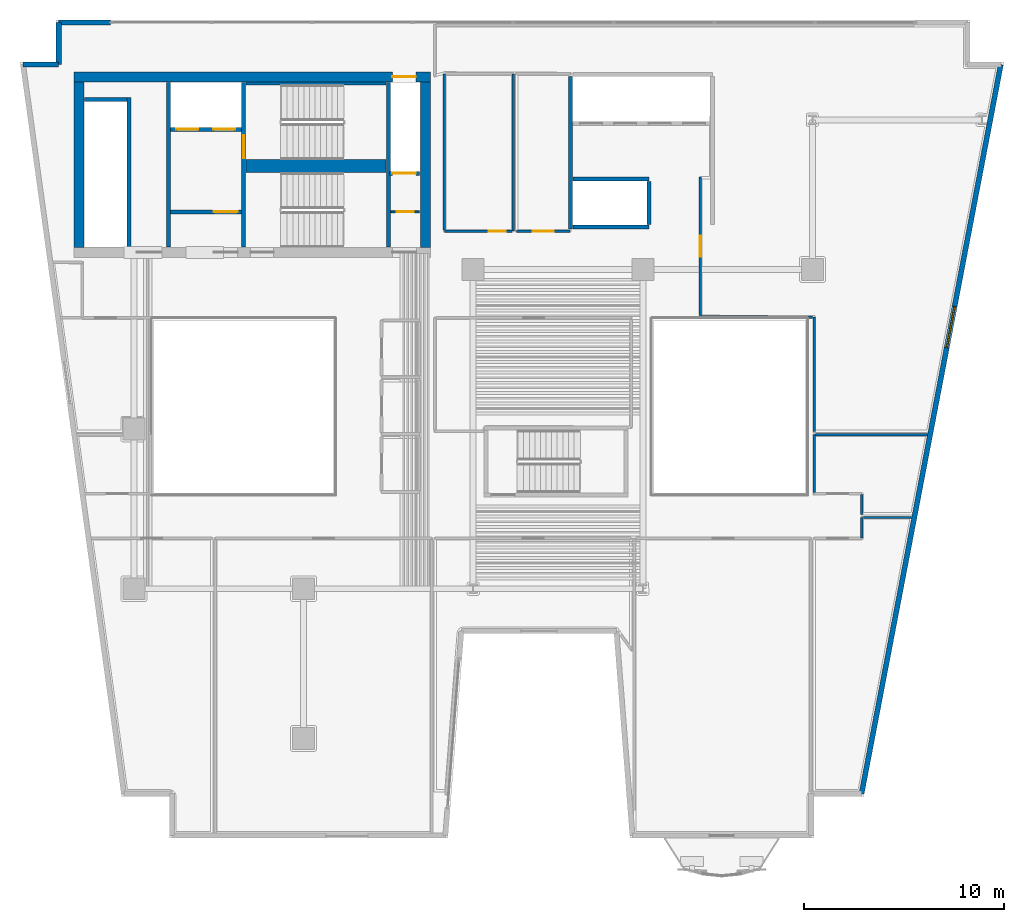
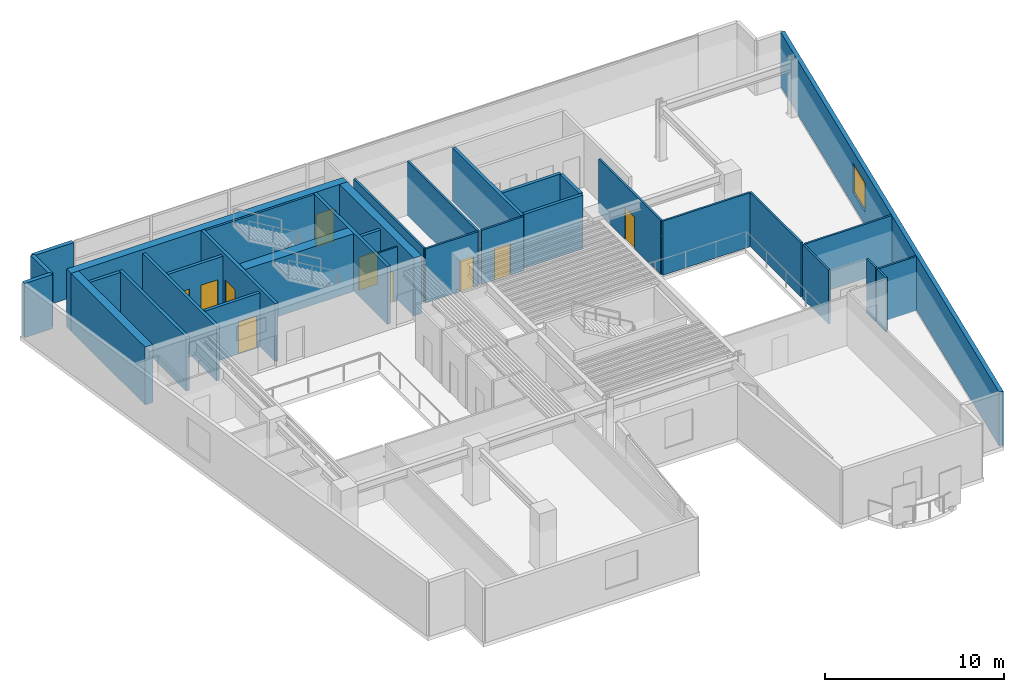
# One storey, part 7 of 13: 34 walls, 10 doors, 1 window, 11 openings.
"""IFC4 building model written with IfcOpenShell, lengths in metres."""

from ifc_helpers import new_model, si_unit, direction, frame, frame_2d, origin, place, context, subcontext, project, spatial, rectangle, extrude, material, layer, layer_set, type_object, element, fill, save


model = new_model("IFC4")

# Units and contexts
model_context = context("Model", 3, precision=1e-05, world=origin(), true_north=direction((0.0, 1.0)))
body_context = subcontext(model_context, "Body", "Model", "MODEL_VIEW")
ifc_project = project(units=[si_unit("LENGTHUNIT", "METRE"), si_unit("AREAUNIT", "SQUARE_METRE"), si_unit("VOLUMEUNIT", "CUBIC_METRE"), si_unit("PLANEANGLEUNIT", "RADIAN"), si_unit("MASSUNIT", "GRAM", prefix="KILO")], contexts=[model_context])

# Site, building, storey
site_placement = place(None, origin())
site = spatial("IfcSite", under=ifc_project, at=site_placement, CompositionType="ELEMENT")
building_placement = place(site_placement, origin())
building = spatial("IfcBuilding", under=site, at=building_placement, Name="Caeloran Harvest Quay", CompositionType="ELEMENT")
storey_placement = place(building_placement, frame((0.0, 0.0, 127.199951171875)))
storey = spatial("IfcBuildingStorey", under=building, at=storey_placement, Name="L29", CompositionType="ELEMENT", Elevation=127.199951171875)

# Walls
ifc_material_1 = material(Name="Precast concrete C50/60", Category="concrete")
ifc_layer_1 = layer(ifc_material_1, 0.260009765625, Name="Precast concrete C50/60")
ifc_layer_set_1 = layer_set([ifc_layer_1], Name="Precast concrete C50/60")
wall_type_1 = type_object("IfcWallType", Name="ENV-WALL-EW-260", PredefinedType="STANDARD", material=ifc_layer_set_1)
wall_1_placement = place(storey_placement, frame((2.939697265625, 41.27001953125, 0.0), z_axis=(0.0, 0.0, 1.0), x_axis=(1.0, 0.0, 0.0)))
element("IfcWall", 1, at=wall_1_placement, inside=storey, type_object=wall_type_1, Name="L29 Exterior Precast Concrete Facade Wall 4", PredefinedType="STANDARD", context=body_context, shape_type="SweptSolid", body=[
    extrude(rectangle(XDim=1.790283203125, YDim=0.260009765625, at=frame_2d((0.89501953125, 0.0))), origin(), (0.0, 0.0, 1.0), 3.68994140625),
])
wall_2_placement = place(storey_placement, frame((4.72998046875, 41.27001953125, 0.0), z_axis=(0.0, 0.0, 1.0), x_axis=(0.0, 1.0, 0.0)))
element("IfcWall", 2, at=wall_2_placement, inside=storey, type_object=wall_type_1, Name="L29 Exterior Precast Concrete Facade Wall 5", PredefinedType="STANDARD", context=body_context, shape_type="SweptSolid", body=[
    extrude(rectangle(XDim=2.10009765625, YDim=0.260009765625, at=frame_2d((1.050048828125, 0.0))), origin(), (0.0, 0.0, 1.0), 3.68994140625),
])
wall_3_placement = place(storey_placement, frame((4.72998046875, 43.3701171875, 0.0), z_axis=(0.0, 0.0, 1.0), x_axis=(1.0, 0.0, 0.0)))
element("IfcWall", 3, at=wall_3_placement, inside=storey, type_object=wall_type_1, Name="L29 Exterior Facade Corner Pier Wall 6A", PredefinedType="STANDARD", context=body_context, shape_type="SweptSolid", body=[
    extrude(rectangle(XDim=2.60009765625, YDim=0.260009765625, at=frame_2d((1.300048828125, 0.0))), origin(), (0.0, 0.0, 1.0), 3.68994140625),
])

# Wall, opening, window
wall_4_placement = place(storey_placement, frame((51.94189453125, 41.27001953125, 0.0), z_axis=(0.0, 0.0, 1.0), x_axis=(-0.187592192405, -0.982247000173, 0.0)))
wall_4 = element("IfcWall", 4, at=wall_4_placement, inside=storey, type_object=wall_type_1, Name="L29 Exterior Precast Concrete Facade Wall 9", PredefinedType="STANDARD", context=body_context, shape_type="SweptSolid", body=[
    extrude(rectangle(XDim=37.200439453125, YDim=0.260009765625, at=frame_2d((18.60009765625, 0.0))), origin(), (0.0, 0.0, 1.0), 3.68994140625),
])
opening_1_placement = place(wall_4_placement, frame((12.342041015625, 0.0, 0.89990234375)))
opening_1 = element("IfcOpeningElement", 5, at=opening_1_placement, cuts=wall_4, Name="Opening W-06", PredefinedType="OPENING", context=body_context, shape_type="SweptSolid", body=[
    extrude(rectangle(XDim=2.10009765625, YDim=2.0, at=frame_2d((1.050048828125, 1.0))), frame((0.0, 0.14013671875, 0.0), z_axis=(0.0, -1.0, 0.0), x_axis=(1.0, 0.0, 0.0)), (0.0, 0.0, 1.0), 0.280029296875),
])
ifc_material_2 = material(Name="Aluminium-Framed Low-E Laminated Glass", Category="aluminium")
window_type = type_object("IfcWindowType", Name="WIN-W-06", PartitioningType="DOUBLE_PANEL_VERTICAL", PredefinedType="WINDOW", material=ifc_material_2)
window_placement = place(opening_1_placement, origin())
window = element("IfcWindow", 6, at=window_placement, inside=storey, type_object=window_type, Name="L29 Facade Punched Window W-06", OverallHeight=2.0, OverallWidth=2.10009765625, PartitioningType="DOUBLE_PANEL_VERTICAL", PredefinedType="WINDOW", context=body_context, shape_type="SweptSolid", body=[
    extrude(rectangle(XDim=2.10009765625, YDim=2.0, at=frame_2d((1.050048828125, 1.0))), frame((0.0, 0.030029296875, 0.0), z_axis=(0.0, -1.0, 0.0), x_axis=(1.0, 0.0, 0.0)), (0.0, 0.0, 1.0), 0.06005859375),
])
fill(opening_1, window)

# Wall, opening, door
ifc_material_3 = material(Name="Fire-Resisting Gypsum Core Riser Partition", Category="gypsum")
ifc_layer_2 = layer(ifc_material_3, 0.10009765625, Name="Fire-Resisting Gypsum Core Riser Partition")
ifc_layer_set_2 = layer_set([ifc_layer_2], Name="Fire-Resisting Gypsum Core Riser Partition")
wall_type_2 = type_object("IfcWallType", Name="INT-WALL-PW-100", PredefinedType="PARTITIONING", material=ifc_layer_set_2)
wall_5_placement = place(storey_placement, frame((21.3798828125, 33.889892578125, 0.0), z_axis=(0.0, 0.0, 1.0), x_axis=(1.0, 0.0, 0.0)))
wall_5 = element("IfcWall", 7, at=wall_5_placement, inside=storey, type_object=wall_type_2, Name="L29 Cleaner Store Partition Wall", PredefinedType="PARTITIONING", context=body_context, shape_type="SweptSolid", body=[
    extrude(rectangle(XDim=1.420166015625, YDim=0.10009765625, at=frame_2d((0.7099609375, 0.0))), origin(), (0.0, 0.0, 1.0), 3.68994140625),
])
opening_2_placement = place(wall_5_placement, frame((0.280029296875, 0.0, 0.0)))
opening_2 = element("IfcOpeningElement", 8, at=opening_2_placement, cuts=wall_5, Name="Opening SV-01", PredefinedType="OPENING", context=body_context, shape_type="SweptSolid", body=[
    extrude(rectangle(XDim=0.85009765625, YDim=2.10009765625, at=frame_2d((0.425048828125, 1.050048828125))), frame((0.0, 0.06005859375, 0.0), z_axis=(0.0, -1.0, 0.0), x_axis=(1.0, 0.0, 0.0)), (0.0, 0.0, 1.0), 0.1201171875),
])
ifc_material_4 = material(Name="Galvanized Painted Steel", Category="steel")
door_type_1 = type_object("IfcDoorType", Name="INTDOOR-SV-01", OperationType="NOTDEFINED", PredefinedType="DOOR", material=ifc_material_4)
door_1_placement = place(opening_2_placement, origin())
door_1 = element("IfcDoor", 9, at=door_1_placement, inside=storey, type_object=door_type_1, Name="L29 Cleaner Supply Store Access Door", OperationType="SINGLE_SWING_RIGHT", OverallHeight=2.10009765625, OverallWidth=0.85009765625, PredefinedType="DOOR", context=body_context, shape_type="SweptSolid", body=[
    extrude(rectangle(XDim=0.85009765625, YDim=2.10009765625, at=frame_2d((0.425048828125, 1.050048828125))), frame((0.0, 0.02490234375, 0.0), z_axis=(0.0, -1.0, 0.0), x_axis=(1.0, 0.0, 0.0)), (0.0, 0.0, 1.0), 0.050048828125),
])
fill(opening_2, door_1)

# Wall
ifc_material_5 = material(Name="Twin-Stud Mineral-Wool Acoustic Gypsum Partition", Category="gypsum")
ifc_layer_3 = layer(ifc_material_5, 0.125, Name="Twin-Stud Mineral-Wool Acoustic Gypsum Partition")
ifc_layer_set_3 = layer_set([ifc_layer_3], Name="Twin-Stud Mineral-Wool Acoustic Gypsum Partition")
wall_type_3 = type_object("IfcWallType", Name="INT-WALL-PW-125", PredefinedType="PARTITIONING", material=ifc_layer_set_3)
wall_6_placement = place(storey_placement, frame((27.5, 40.800048828125, 0.0), z_axis=(0.0, 0.0, 1.0), x_axis=(0.0, -1.0, 0.0)))
element("IfcWall", 10, at=wall_6_placement, inside=storey, type_object=wall_type_3, Name="L29 Bioinformatics Briefing Lounge Partition Wall", PredefinedType="PARTITIONING", context=body_context, shape_type="SweptSolid", body=[
    extrude(rectangle(XDim=7.880126953125, YDim=0.125, at=frame_2d((3.93994140625, 0.0))), origin(), (0.0, 0.0, 1.0), 3.68994140625),
])

# Wall, opening, door
wall_7_placement = place(storey_placement, frame((27.4326171875, 32.919921875, 0.0), z_axis=(0.0, 0.0, 1.0), x_axis=(-1.0, 0.0, 0.0)))
wall_7 = element("IfcWall", 11, at=wall_7_placement, inside=storey, type_object=wall_type_3, Name="L29 Bioinformatics Briefing Lounge Partition Wall", PredefinedType="PARTITIONING", context=body_context, shape_type="SweptSolid", body=[
    extrude(rectangle(XDim=3.382568359375, YDim=0.125, at=frame_2d((1.69140625, 0.0))), origin(), (0.0, 0.0, 1.0), 3.68994140625),
])
opening_3_placement = place(wall_7_placement, frame((0.303466796875, 0.0, 0.0)))
opening_3 = element("IfcOpeningElement", 12, at=opening_3_placement, cuts=wall_7, Name="Opening SV-01", PredefinedType="OPENING", context=body_context, shape_type="SweptSolid", body=[
    extrude(rectangle(XDim=0.85009765625, YDim=2.10009765625, at=frame_2d((0.425048828125, 1.050048828125))), frame((0.0, 0.072509765625, 0.0), z_axis=(0.0, -1.0, 0.0), x_axis=(1.0, 0.0, 0.0)), (0.0, 0.0, 1.0), 0.14501953125),
])
door_2_placement = place(opening_3_placement, origin())
door_2 = element("IfcDoor", 13, at=door_2_placement, inside=storey, type_object=door_type_1, Name="L29 Bioinformatics Briefing Lounge Access Door", OperationType="SINGLE_SWING_RIGHT", OverallHeight=2.10009765625, OverallWidth=0.85009765625, PredefinedType="DOOR", context=body_context, shape_type="SweptSolid", body=[
    extrude(rectangle(XDim=0.85009765625, YDim=2.10009765625, at=frame_2d((0.425048828125, 1.050048828125))), frame((0.0, 0.02490234375, 0.0), z_axis=(0.0, -1.0, 0.0), x_axis=(1.0, 0.0, 0.0)), (0.0, 0.0, 1.0), 0.050048828125),
])
fill(opening_3, door_2)

# Wall
wall_8_placement = place(storey_placement, frame((24.050048828125, 32.987548828125, 0.0), z_axis=(0.0, 0.0, 1.0), x_axis=(0.0, 1.0, 0.0)))
element("IfcWall", 14, at=wall_8_placement, inside=storey, type_object=wall_type_3, Name="L29 Bioinformatics Briefing Lounge Partition Wall", PredefinedType="PARTITIONING", context=body_context, shape_type="SweptSolid", body=[
    extrude(rectangle(XDim=7.8125, YDim=0.125, at=frame_2d((3.90625, 0.0))), origin(), (0.0, 0.0, 1.0), 3.68994140625),
])

# Wall, opening, door
wall_9_placement = place(storey_placement, frame((30.35009765625, 32.919921875, 0.0), z_axis=(0.0, 0.0, 1.0), x_axis=(-1.0, 0.0, 0.0)))
wall_9 = element("IfcWall", 15, at=wall_9_placement, inside=storey, type_object=wall_type_3, Name="L29 Seed Imaging Laboratory Partition Wall", PredefinedType="PARTITIONING", context=body_context, shape_type="SweptSolid", body=[
    extrude(rectangle(XDim=2.690185546875, YDim=0.125, at=frame_2d((1.34521484375, 0.0))), origin(), (0.0, 0.0, 1.0), 3.68994140625),
])
opening_4_placement = place(wall_9_placement, frame((0.820068359375, 0.0, 0.0)))
opening_4 = element("IfcOpeningElement", 16, at=opening_4_placement, cuts=wall_9, Name="Opening ID-03", PredefinedType="OPENING", context=body_context, shape_type="SweptSolid", body=[
    extrude(rectangle(XDim=1.050048828125, YDim=2.14990234375, at=frame_2d((0.52490234375, 1.074951171875))), frame((0.0, 0.072509765625, 0.0), z_axis=(0.0, -1.0, 0.0), x_axis=(1.0, 0.0, 0.0)), (0.0, 0.0, 1.0), 0.14501953125),
])
ifc_material_6 = material(Name="FSC Solid-Core Oak Timber Leaf", Category="wood")
door_type_2 = type_object("IfcDoorType", Name="INTDOOR-ID-03", OperationType="NOTDEFINED", PredefinedType="DOOR", material=ifc_material_6)
door_3_placement = place(opening_4_placement, origin())
door_3 = element("IfcDoor", 17, at=door_3_placement, inside=storey, type_object=door_type_2, Name="L29 Seed Imaging Laboratory Access Door", OperationType="SINGLE_SWING_LEFT", OverallHeight=2.14990234375, OverallWidth=1.050048828125, PredefinedType="DOOR", context=body_context, shape_type="SweptSolid", body=[
    extrude(rectangle(XDim=1.050048828125, YDim=2.14990234375, at=frame_2d((0.52490234375, 1.074951171875))), frame((0.0, 0.02490234375, 0.0), z_axis=(0.0, -1.0, 0.0), x_axis=(1.0, 0.0, 0.0)), (0.0, 0.0, 1.0), 0.050048828125),
])
fill(opening_4, door_3)

# Walls
wall_10_placement = place(storey_placement, frame((44.97998046875, 17.550048828125, 0.0), z_axis=(0.0, 0.0, 1.0), x_axis=(0.0, 1.0, 0.0)))
element("IfcWall", 18, at=wall_10_placement, inside=storey, type_object=wall_type_3, Name="Bio-Security Compliance Office Partition Wall", PredefinedType="PARTITIONING", context=body_context, shape_type="SweptSolid", body=[
    extrude(rectangle(XDim=1.02001953125, YDim=0.125, at=frame_2d((0.510009765625, 0.0))), origin(), (0.0, 0.0, 1.0), 3.68994140625),
])
wall_11_placement = place(storey_placement, frame((45.047607421875, 18.570068359375, 0.0), z_axis=(0.0, 0.0, 1.0), x_axis=(1.0, 0.0, 0.0)))
element("IfcWall", 19, at=wall_11_placement, inside=storey, type_object=wall_type_3, Name="Bio-Security Compliance Office Partition Wall", PredefinedType="PARTITIONING", context=body_context, shape_type="SweptSolid", body=[
    extrude(rectangle(XDim=2.421630859375, YDim=0.125, at=frame_2d((1.2109375, 0.0))), origin(), (0.0, 0.0, 1.0), 3.68994140625),
])
wall_12_placement = place(storey_placement, frame((42.580078125, 19.8173828125, 0.0), z_axis=(0.0, 0.0, 1.0), x_axis=(0.0, 1.0, 0.0)))
element("IfcWall", 20, at=wall_12_placement, inside=storey, type_object=wall_type_3, Name="Research Library Study Room Partition Wall", PredefinedType="PARTITIONING", context=body_context, shape_type="SweptSolid", body=[
    extrude(rectangle(XDim=2.902587890625, YDim=0.125, at=frame_2d((1.451171875, 0.0))), origin(), (0.0, 0.0, 1.0), 3.68994140625),
])
wall_13_placement = place(storey_placement, frame((42.6474609375, 22.719970703125, 0.0), z_axis=(0.0, 0.0, 1.0), x_axis=(1.0, 0.0, 0.0)))
element("IfcWall", 21, at=wall_13_placement, inside=storey, type_object=wall_type_3, Name="Research Library Study Room Partition Wall", PredefinedType="PARTITIONING", context=body_context, shape_type="SweptSolid", body=[
    extrude(rectangle(XDim=5.6142578125, YDim=0.125, at=frame_2d((2.80712890625, 0.0))), origin(), (0.0, 0.0, 1.0), 3.68994140625),
])
wall_14_placement = place(storey_placement, frame((44.97998046875, 18.72998046875, 0.0), z_axis=(0.0, 0.0, 1.0), x_axis=(0.0, 1.0, 0.0)))
element("IfcWall", 22, at=wall_14_placement, inside=storey, type_object=wall_type_3, Name="Research Library Study Room Partition Wall", PredefinedType="PARTITIONING", context=body_context, shape_type="SweptSolid", body=[
    extrude(rectangle(XDim=0.989990234375, YDim=0.125, at=frame_2d((0.4951171875, 0.0))), origin(), (0.0, 0.0, 1.0), 3.68994140625),
])
wall_15_placement = place(storey_placement, frame((42.580078125, 22.8798828125, 0.0), z_axis=(0.0, 0.0, 1.0), x_axis=(0.0, 1.0, 0.0)))
element("IfcWall", 23, at=wall_15_placement, inside=storey, type_object=wall_type_3, Name="Controlled-Climate Simulation Lab 10 Partition Wall", PredefinedType="PARTITIONING", context=body_context, shape_type="SweptSolid", body=[
    extrude(rectangle(XDim=5.72900390625, YDim=0.125, at=frame_2d((2.864501953125, 0.0))), origin(), (0.0, 0.0, 1.0), 3.68994140625),
])
wall_16_placement = place(storey_placement, frame((42.512451171875, 28.609130859375, 0.0), z_axis=(0.0, 0.0, 1.0), x_axis=(-0.999993213113, 0.00368425396, 0.0)))
element("IfcWall", 24, at=wall_16_placement, inside=storey, type_object=wall_type_3, Name="Controlled-Climate Simulation Lab 10 Partition Wall", PredefinedType="PARTITIONING", context=body_context, shape_type="SweptSolid", body=[
    extrude(rectangle(XDim=5.632568359375, YDim=0.125, at=frame_2d((2.81640625, 0.0))), origin(), (0.0, 0.0, 1.0), 3.68994140625),
])

# Wall, opening, door
wall_17_placement = place(storey_placement, frame((36.8798828125, 28.697509765625, 0.0), z_axis=(0.0, 0.0, 1.0), x_axis=(0.0, 1.0, 0.0)))
wall_17 = element("IfcWall", 25, at=wall_17_placement, inside=storey, type_object=wall_type_3, Name="Controlled-Climate Simulation Lab 10 Partition Wall", PredefinedType="PARTITIONING", context=body_context, shape_type="SweptSolid", body=[
    extrude(rectangle(XDim=6.922607421875, YDim=0.125, at=frame_2d((3.46142578125, 0.0))), origin(), (0.0, 0.0, 1.0), 3.68994140625),
])
opening_5_placement = place(wall_17_placement, frame((2.936279296875, 0.0, 0.0)))
opening_5 = element("IfcOpeningElement", 26, at=opening_5_placement, cuts=wall_17, Name="Opening ID-03", PredefinedType="OPENING", context=body_context, shape_type="SweptSolid", body=[
    extrude(rectangle(XDim=1.050048828125, YDim=2.14990234375, at=frame_2d((0.52490234375, 1.074951171875))), frame((0.0, 0.072509765625, 0.0), z_axis=(0.0, -1.0, 0.0), x_axis=(1.0, 0.0, 0.0)), (0.0, 0.0, 1.0), 0.14501953125),
])
door_4_placement = place(opening_5_placement, origin())
door_4 = element("IfcDoor", 27, at=door_4_placement, inside=storey, type_object=door_type_2, Name="Controlled-Climate Simulation Lab 10 Access Door", OperationType="SINGLE_SWING_RIGHT", OverallHeight=2.14990234375, OverallWidth=1.050048828125, PredefinedType="DOOR", context=body_context, shape_type="SweptSolid", body=[
    extrude(rectangle(XDim=1.050048828125, YDim=2.14990234375, at=frame_2d((0.52490234375, 1.074951171875))), frame((0.0, 0.02490234375, 0.0), z_axis=(0.0, -1.0, 0.0), x_axis=(1.0, 0.0, 0.0)), (0.0, 0.0, 1.0), 0.050048828125),
])
fill(opening_5, door_4)

# Walls
ifc_material_7 = material(Name="Concrete C50/60", Category="concrete")
ifc_layer_4 = layer(ifc_material_7, 0.199951171875, Name="Concrete C50/60")
ifc_layer_set_4 = layer_set([ifc_layer_4], Name="Concrete C50/60")
wall_type_4 = type_object("IfcWallType", Name="INT-WALL-SW-200", PredefinedType="PARTITIONING", material=ifc_layer_set_4)
wall_18_placement = place(storey_placement, frame((8.260009765625, 32.1201171875, 0.0), z_axis=(0.0, 0.0, 1.0), x_axis=(0.0, 1.0, 0.0)))
element("IfcWall", 28, at=wall_18_placement, inside=storey, type_object=wall_type_4, Name="L29 Bank 3 Lift Shaft Wall", PredefinedType="PARTITIONING", context=body_context, shape_type="SweptSolid", body=[
    extrude(rectangle(XDim=7.5, YDim=0.199951171875, at=frame_2d((3.75, 0.0))), origin(), (0.0, 0.0, 1.0), 3.68994140625),
])
wall_19_placement = place(storey_placement, frame((6.02001953125, 39.52001953125, 0.0), z_axis=(0.0, 0.0, 1.0), x_axis=(1.0, 0.0, 0.0)))
element("IfcWall", 29, at=wall_19_placement, inside=storey, type_object=wall_type_4, Name="L29 Bank 3 Lift Shaft North End Wall", PredefinedType="PARTITIONING", context=body_context, shape_type="SweptSolid", body=[
    extrude(rectangle(XDim=2.119873046875, YDim=0.199951171875, at=frame_2d((1.06005859375, 0.0))), origin(), (0.0, 0.0, 1.0), 3.68994140625),
])
wall_20_placement = place(storey_placement, frame((10.219970703125, 32.1201171875, 0.0), z_axis=(0.0, 0.0, 1.0), x_axis=(0.0, 1.0, 0.0)))
element("IfcWall", 30, at=wall_20_placement, inside=storey, type_object=wall_type_4, Name="L29 Core Lobby Compartment Wall", PredefinedType="PARTITIONING", context=body_context, shape_type="SweptSolid", body=[
    extrude(rectangle(XDim=8.259765625, YDim=0.199951171875, at=frame_2d((4.1298828125, 0.0))), origin(), (0.0, 0.0, 1.0), 3.68994140625),
])

# Wall, openings, doors
wall_21_placement = place(storey_placement, frame((10.340087890625, 38.02001953125, 0.0), z_axis=(0.0, 0.0, 1.0), x_axis=(1.0, 0.0, 0.0)))
wall_21 = element("IfcWall", 31, at=wall_21_placement, inside=storey, type_object=wall_type_4, Name="L29 Firefighting Lift Shaft Wall", PredefinedType="PARTITIONING", context=body_context, shape_type="SweptSolid", body=[
    extrude(rectangle(XDim=3.539794921875, YDim=0.199951171875, at=frame_2d((1.77001953125, 0.0))), origin(), (0.0, 0.0, 1.0), 3.68994140625),
])
opening_6_placement = place(wall_21_placement, frame((0.284912109375, 0.0, 0.0)))
opening_6 = element("IfcOpeningElement", 32, at=opening_6_placement, cuts=wall_21, Name="Opening LD-01", PredefinedType="OPENING", context=body_context, shape_type="SweptSolid", body=[
    extrude(rectangle(XDim=1.10009765625, YDim=2.199951171875, at=frame_2d((0.550048828125, 1.10009765625))), frame((0.0, 0.10986328125, 0.0), z_axis=(0.0, -1.0, 0.0), x_axis=(1.0, 0.0, 0.0)), (0.0, 0.0, 1.0), 0.219970703125),
])
opening_7_placement = place(wall_21_placement, frame((2.135009765625, 0.0, 0.0)))
opening_7 = element("IfcOpeningElement", 33, at=opening_7_placement, cuts=wall_21, Name="Opening LD-01", PredefinedType="OPENING", context=body_context, shape_type="SweptSolid", body=[
    extrude(rectangle(XDim=1.10009765625, YDim=2.199951171875, at=frame_2d((0.550048828125, 1.10009765625))), frame((0.0, 0.10986328125, 0.0), z_axis=(0.0, -1.0, 0.0), x_axis=(1.0, 0.0, 0.0)), (0.0, 0.0, 1.0), 0.219970703125),
])
ifc_material_8 = material(Name="Stainless Steel Grade 316", Category="steel")
door_type_3 = type_object("IfcDoorType", Name="INTDOOR-LD-01", OperationType="NOTDEFINED", PredefinedType="DOOR", material=ifc_material_8)
door_5_placement = place(opening_6_placement, origin())
door_5 = element("IfcDoor", 34, at=door_5_placement, inside=storey, type_object=door_type_3, Name="Lift FF-1 Sliding Landing Door (L29)", OperationType="DOUBLE_DOOR_SLIDING", OverallHeight=2.199951171875, OverallWidth=1.10009765625, PredefinedType="DOOR", context=body_context, shape_type="SweptSolid", body=[
    extrude(rectangle(XDim=1.10009765625, YDim=2.199951171875, at=frame_2d((0.550048828125, 1.10009765625))), frame((0.0, 0.02490234375, 0.0), z_axis=(0.0, -1.0, 0.0), x_axis=(1.0, 0.0, 0.0)), (0.0, 0.0, 1.0), 0.050048828125),
])
fill(opening_6, door_5)
door_6_placement = place(opening_7_placement, origin())
door_6 = element("IfcDoor", 35, at=door_6_placement, inside=storey, type_object=door_type_3, Name="Lift FF-2 Sliding Landing Door (L29)", OperationType="DOUBLE_DOOR_SLIDING", OverallHeight=2.199951171875, OverallWidth=1.10009765625, PredefinedType="DOOR", context=body_context, shape_type="SweptSolid", body=[
    extrude(rectangle(XDim=1.10009765625, YDim=2.199951171875, at=frame_2d((0.550048828125, 1.10009765625))), frame((0.0, 0.02490234375, 0.0), z_axis=(0.0, -1.0, 0.0), x_axis=(1.0, 0.0, 0.0)), (0.0, 0.0, 1.0), 0.050048828125),
])
fill(opening_7, door_6)

# Wall, opening, door
wall_22_placement = place(storey_placement, frame((10.340087890625, 33.8798828125, 0.0), z_axis=(0.0, 0.0, 1.0), x_axis=(1.0, 0.0, 0.0)))
wall_22 = element("IfcWall", 36, at=wall_22_placement, inside=storey, type_object=wall_type_4, Name="L29 Firefighting Lift Lobby Enclosure Wall", PredefinedType="PARTITIONING", context=body_context, shape_type="SweptSolid", body=[
    extrude(rectangle(XDim=3.559814453125, YDim=0.199951171875, at=frame_2d((1.77978515625, 0.0))), origin(), (0.0, 0.0, 1.0), 3.68994140625),
])
opening_8_placement = place(wall_22_placement, frame((2.14990234375, 0.0, 0.0)))
opening_8 = element("IfcOpeningElement", 37, at=opening_8_placement, cuts=wall_22, Name="Opening FD-01", PredefinedType="OPENING", context=body_context, shape_type="SweptSolid", body=[
    extrude(rectangle(XDim=1.199951171875, YDim=2.199951171875, at=frame_2d((0.60009765625, 1.10009765625))), frame((0.0, 0.10986328125, 0.0), z_axis=(0.0, -1.0, 0.0), x_axis=(1.0, 0.0, 0.0)), (0.0, 0.0, 1.0), 0.219970703125),
])
ifc_material_9 = material(Name="Steel", Category="steel")
door_type_4 = type_object("IfcDoorType", Name="INTDOOR-FD-01", OperationType="NOTDEFINED", PredefinedType="DOOR", material=ifc_material_9)
door_7_placement = place(opening_8_placement, origin())
door_7 = element("IfcDoor", 38, at=door_7_placement, inside=storey, type_object=door_type_4, Name="L29 Firefighting Lift Lobby Smoke-Seal Fire Door", OperationType="SINGLE_SWING_LEFT", OverallHeight=2.199951171875, OverallWidth=1.199951171875, PredefinedType="DOOR", context=body_context, shape_type="SweptSolid", body=[
    extrude(rectangle(XDim=1.199951171875, YDim=2.199951171875, at=frame_2d((0.60009765625, 1.10009765625))), frame((0.0, 0.02490234375, 0.0), z_axis=(0.0, -1.0, 0.0), x_axis=(1.0, 0.0, 0.0)), (0.0, 0.0, 1.0), 0.050048828125),
])
fill(opening_8, door_7)

wall_23_placement = place(storey_placement, frame((21.300048828125, 35.820068359375, 0.0), z_axis=(0.0, 0.0, 1.0), x_axis=(1.0, 0.0, 0.0)))
wall_23 = element("IfcWall", 39, at=wall_23_placement, inside=storey, type_object=wall_type_4, Name="L29 Service Lift SV-2 Shaft Wall", PredefinedType="PARTITIONING", context=body_context, shape_type="SweptSolid", body=[
    extrude(rectangle(XDim=1.5, YDim=0.199951171875, at=frame_2d((0.75, 0.0))), origin(), (0.0, 0.0, 1.0), 3.68994140625),
])
opening_9_placement = place(wall_23_placement, frame((0.14501953125, 0.0, 0.0)))
opening_9 = element("IfcOpeningElement", 40, at=opening_9_placement, cuts=wall_23, Name="Opening LD-02", PredefinedType="OPENING", context=body_context, shape_type="SweptSolid", body=[
    extrude(rectangle(XDim=1.179931640625, YDim=2.25, at=frame_2d((0.58984375, 1.125))), frame((0.0, 0.10986328125, 0.0), z_axis=(0.0, -1.0, 0.0), x_axis=(1.0, 0.0, 0.0)), (0.0, 0.0, 1.0), 0.219970703125),
])
door_type_5 = type_object("IfcDoorType", Name="INTDOOR-LD-02", OperationType="NOTDEFINED", PredefinedType="DOOR", material=ifc_material_8)
door_8_placement = place(opening_9_placement, origin())
door_8 = element("IfcDoor", 41, at=door_8_placement, inside=storey, type_object=door_type_5, Name="Lift SV-2 Sliding Landing Door (L29)", OperationType="DOUBLE_DOOR_SLIDING", OverallHeight=2.25, OverallWidth=1.179931640625, PredefinedType="DOOR", context=body_context, shape_type="SweptSolid", body=[
    extrude(rectangle(XDim=1.179931640625, YDim=2.25, at=frame_2d((0.58984375, 1.125))), frame((0.0, 0.02490234375, 0.0), z_axis=(0.0, -1.0, 0.0), x_axis=(1.0, 0.0, 0.0)), (0.0, 0.0, 1.0), 0.050048828125),
])
fill(opening_9, door_8)

# Walls
wall_24_placement = place(storey_placement, frame((30.3798828125, 33.02001953125, 0.0), z_axis=(0.0, 0.0, 1.0), x_axis=(0.0, 1.0, 0.0)))
element("IfcWall", 42, at=wall_24_placement, inside=storey, type_object=wall_type_4, Name="L29 Bank 2 and Shuttle Lift Shaft West Wall", PredefinedType="PARTITIONING", context=body_context, shape_type="SweptSolid", body=[
    extrude(rectangle(XDim=7.639892578125, YDim=0.199951171875, at=frame_2d((3.81982421875, 0.0))), origin(), (0.0, 0.0, 1.0), 3.68994140625),
])
for number, where, z_axis, x_axis, name in (
    (43, (30.5, 35.530029296875, 0.0), (0.0, 0.0, 1.0), (1.0, 0.0, 0.0), "L29 Shuttle Lift Landing Front Wall"),
    (44, (30.5, 33.1201171875, 0.0), (0.0, 0.0, 1.0), (1.0, 0.0, 0.0), "L29 Shuttle Lift Shaft South Wall"),
):
    element("IfcWall", number, at=place(storey_placement, frame(where, z_axis=z_axis, x_axis=x_axis)), inside=storey, type_object=wall_type_4, Name=name, PredefinedType="PARTITIONING", context=body_context, shape_type="SweptSolid", body=[
        extrude(rectangle(XDim=3.800048828125, YDim=0.199951171875, at=frame_2d((1.89990234375, 0.0))), origin(), (0.0, 0.0, 1.0), 3.68994140625),
    ])
wall_25_placement = place(storey_placement, frame((34.300048828125, 33.239990234375, 0.0), z_axis=(0.0, 0.0, 1.0), x_axis=(0.0, 1.0, 0.0)))
element("IfcWall", 45, at=wall_25_placement, inside=storey, type_object=wall_type_4, Name="L29 Shuttle Lift Shaft East Wall", PredefinedType="PARTITIONING", context=body_context, shape_type="SweptSolid", body=[
    extrude(rectangle(XDim=2.169921875, YDim=0.199951171875, at=frame_2d((1.0849609375, 0.0))), origin(), (0.0, 0.0, 1.0), 3.68994140625),
])

# Wall, opening, door
ifc_material_10 = material(Name="Concrete C70/85", Category="concrete")
ifc_layer_5 = layer(ifc_material_10, 0.5, Name="Concrete C70/85")
ifc_layer_set_5 = layer_set([ifc_layer_5], Name="Concrete C70/85")
wall_type_5 = type_object("IfcWallType", Name="STR-WALL-CW-500", PredefinedType="SHEAR", material=ifc_layer_set_5)
wall_26_placement = place(storey_placement, frame((5.5, 40.64990234375, 0.0), z_axis=(0.0, 0.0, 1.0), x_axis=(1.0, 0.0, 0.0)))
wall_26 = element("IfcWall", 46, at=wall_26_placement, inside=storey, type_object=wall_type_5, Name="L29 Rear Core Shear Wall N", PredefinedType="SHEAR", context=body_context, shape_type="SweptSolid", body=[
    extrude(rectangle(XDim=17.85009765625, YDim=0.5, at=frame_2d((8.925048828125, 0.0))), origin(), (0.0, 0.0, 1.0), 3.949951171875),
])
opening_10_placement = place(wall_26_placement, frame((15.945068359375, 0.0, 0.0)))
opening_10 = element("IfcOpeningElement", 47, at=opening_10_placement, cuts=wall_26, Name="Opening LD-02", PredefinedType="OPENING", context=body_context, shape_type="SweptSolid", body=[
    extrude(rectangle(XDim=1.179931640625, YDim=2.25, at=frame_2d((0.58984375, 1.125))), frame((0.0, 0.260009765625, 0.0), z_axis=(0.0, -1.0, 0.0), x_axis=(1.0, 0.0, 0.0)), (0.0, 0.0, 1.0), 0.52001953125),
])
door_9_placement = place(opening_10_placement, origin())
door_9 = element("IfcDoor", 48, at=door_9_placement, inside=storey, type_object=door_type_5, Name="Lift SV-1 Sliding Landing Door (L29)", OperationType="DOUBLE_DOOR_SLIDING", OverallHeight=2.25, OverallWidth=1.179931640625, PredefinedType="DOOR", context=body_context, shape_type="SweptSolid", body=[
    extrude(rectangle(XDim=1.179931640625, YDim=2.25, at=frame_2d((0.58984375, 1.125))), frame((0.0, 0.02490234375, 0.0), z_axis=(0.0, -1.0, 0.0), x_axis=(1.0, 0.0, 0.0)), (0.0, 0.0, 1.0), 0.050048828125),
])
fill(opening_10, door_9)

# Walls
for number, where, z_axis, x_axis, name in (
    (49, (5.75, 32.10009765625, 0.0), (0.0, 0.0, 1.0), (0.0, 1.0, 0.0), "L29 Rear Core Shear Wall W"),
    (50, (23.10009765625, 32.10009765625, 0.0), (0.0, 0.0, 1.0), (0.0, 1.0, 0.0), "L29 Rear Core Shear Wall E"),
):
    element("IfcWall", number, at=place(storey_placement, frame(where, z_axis=z_axis, x_axis=x_axis)), inside=storey, type_object=wall_type_5, Name=name, PredefinedType="SHEAR", context=body_context, shape_type="SweptSolid", body=[
        extrude(rectangle(XDim=8.2998046875, YDim=0.5, at=frame_2d((4.14990234375, 0.0))), origin(), (0.0, 0.0, 1.0), 3.949951171875),
    ])
ifc_material_11 = material(Name="Concrete C60/75", Category="concrete")
ifc_layer_6 = layer(ifc_material_11, 0.64990234375, Name="Concrete C60/75")
ifc_layer_set_6 = layer_set([ifc_layer_6], Name="Concrete C60/75")
wall_type_6 = type_object("IfcWallType", Name="STR-WALL-CW-650", PredefinedType="SHEAR", material=ifc_layer_set_6)
wall_27_placement = place(storey_placement, frame((14.1201171875, 36.175048828125, 0.0), z_axis=(0.0, 0.0, 1.0), x_axis=(1.0, 0.0, 0.0)))
element("IfcWall", 51, at=wall_27_placement, inside=storey, type_object=wall_type_6, Name="L29 Core Stairs Dividing Shear Wall", PredefinedType="SHEAR", context=body_context, shape_type="SweptSolid", body=[
    extrude(rectangle(XDim=7.009765625, YDim=0.64990234375, at=frame_2d((3.5048828125, 0.0))), origin(), (0.0, 0.0, 1.0), 3.949951171875),
])
ifc_layer_7 = layer(ifc_material_11, 0.139892578125, Name="Concrete C60/75")
ifc_layer_set_7 = layer_set([ifc_layer_7], Name="Concrete C60/75")
wall_type_7 = type_object("IfcWallType", Name="STR-WALL-SW-140", PredefinedType="SHEAR", material=ifc_layer_set_7)
wall_28_placement = place(storey_placement, frame((14.1201171875, 40.320068359375, 0.0), z_axis=(0.0, 0.0, 1.0), x_axis=(1.0, 0.0, 0.0)))
element("IfcWall", 52, at=wall_28_placement, inside=storey, type_object=wall_type_7, Name="L29 Core Stair ST-C1 North Bearing Shear Wall", PredefinedType="SHEAR", context=body_context, shape_type="SweptSolid", body=[
    extrude(rectangle(XDim=7.009765625, YDim=0.139892578125, at=frame_2d((3.5048828125, 0.0))), origin(), (0.0, 0.0, 1.0), 3.949951171875),
])

# Wall, opening, door
ifc_layer_8 = layer(ifc_material_11, 0.199951171875, Name="Concrete C60/75")
ifc_layer_set_8 = layer_set([ifc_layer_8], Name="Concrete C60/75")
wall_type_8 = type_object("IfcWallType", Name="STR-WALL-SW-200", PredefinedType="SHEAR", material=ifc_layer_set_8)
wall_29_placement = place(storey_placement, frame((14.0, 32.1201171875, 0.0), z_axis=(0.0, 0.0, 1.0), x_axis=(0.0, 1.0, 0.0)))
wall_29 = element("IfcWall", 53, at=wall_29_placement, inside=storey, type_object=wall_type_8, Name="L29 Core Stair Shaft West Shear Wall", PredefinedType="SHEAR", context=body_context, shape_type="SweptSolid", body=[
    extrude(rectangle(XDim=8.259765625, YDim=0.199951171875, at=frame_2d((4.1298828125, 0.0))), origin(), (0.0, 0.0, 1.0), 3.949951171875),
])
opening_11_placement = place(wall_29_placement, frame((4.4599609375, 0.0, 0.0)))
opening_11 = element("IfcOpeningElement", 54, at=opening_11_placement, cuts=wall_29, Name="Opening SD-01", PredefinedType="OPENING", context=body_context, shape_type="SweptSolid", body=[
    extrude(rectangle(XDim=1.14990234375, YDim=2.199951171875, at=frame_2d((0.574951171875, 1.10009765625))), frame((0.0, 0.10986328125, 0.0), z_axis=(0.0, -1.0, 0.0), x_axis=(1.0, 0.0, 0.0)), (0.0, 0.0, 1.0), 0.219970703125),
])
door_type_6 = type_object("IfcDoorType", Name="INTDOOR-SD-01", OperationType="NOTDEFINED", PredefinedType="DOOR", material=ifc_material_9)
door_10_placement = place(opening_11_placement, origin())
door_10 = element("IfcDoor", 55, at=door_10_placement, inside=storey, type_object=door_type_6, Name="L29 Protected Stair ST-C1 Exit Door", OperationType="SINGLE_SWING_LEFT", OverallHeight=2.199951171875, OverallWidth=1.14990234375, PredefinedType="DOOR", context=body_context, shape_type="SweptSolid", body=[
    extrude(rectangle(XDim=1.14990234375, YDim=2.199951171875, at=frame_2d((0.574951171875, 1.10009765625))), frame((0.0, 0.02490234375, 0.0), z_axis=(0.0, -1.0, 0.0), x_axis=(1.0, 0.0, 0.0)), (0.0, 0.0, 1.0), 0.050048828125),
])
fill(opening_11, door_10)

# Wall
wall_30_placement = place(storey_placement, frame((21.25, 32.1201171875, 0.0), z_axis=(0.0, 0.0, 1.0), x_axis=(0.0, 1.0, 0.0)))
element("IfcWall", 56, at=wall_30_placement, inside=storey, type_object=wall_type_8, Name="L29 Core Stair Shaft East Shear Wall", PredefinedType="SHEAR", context=body_context, shape_type="SweptSolid", body=[
    extrude(rectangle(XDim=8.259765625, YDim=0.199951171875, at=frame_2d((4.1298828125, 0.0))), origin(), (0.0, 0.0, 1.0), 3.949951171875),
])

save(model, "model.ifc")
